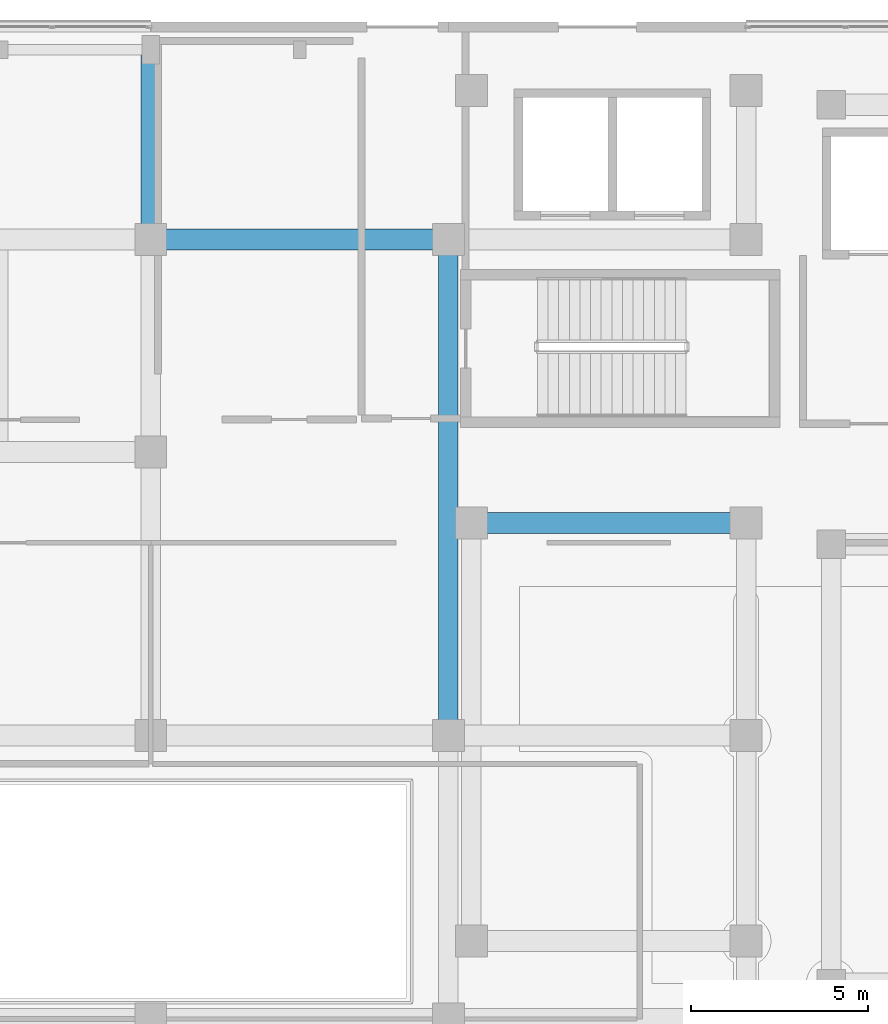
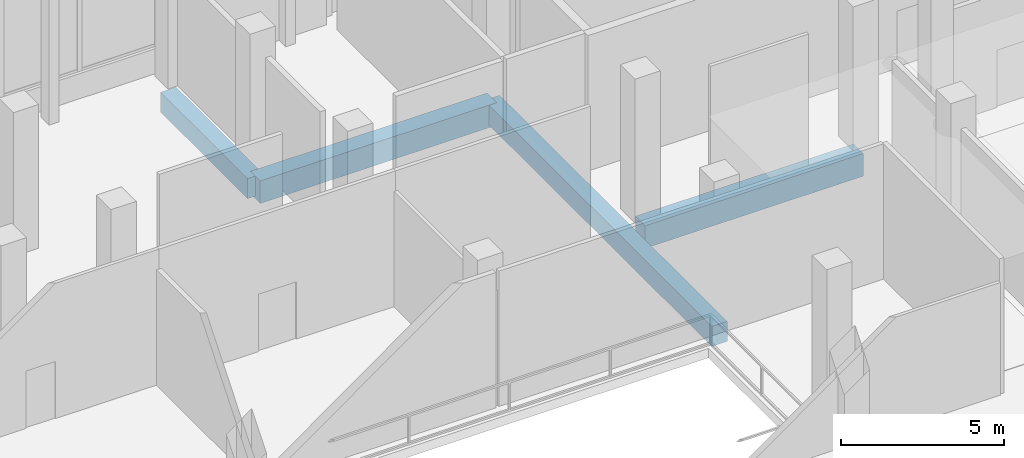
# One storey, part 76 of 158: 4 beams.
"""IFC4 building model written with IfcOpenShell, lengths in metres."""

from ifc_helpers import new_model, si_unit, direction, frame, origin, origin_2d, place, context, subcontext, project, spatial, rectangle, extrude, material, material_profile, profile_set, type_object, element, save


model = new_model("IFC4")

# Units and contexts
model_context = context("Model", 3, precision=1e-05, world=origin(), true_north=direction((0.0, 1.0)))
body_context = subcontext(model_context, "Body", "Model", "MODEL_VIEW")
ifc_project = project(units=[si_unit("LENGTHUNIT", "METRE"), si_unit("AREAUNIT", "SQUARE_METRE"), si_unit("VOLUMEUNIT", "CUBIC_METRE"), si_unit("PLANEANGLEUNIT", "RADIAN"), si_unit("MASSUNIT", "GRAM", prefix="KILO")], contexts=[model_context])

# Site, building, storey
site_placement = place(None, origin())
site = spatial("IfcSite", under=ifc_project, at=site_placement, CompositionType="ELEMENT")
building_placement = place(site_placement, origin())
building = spatial("IfcBuilding", under=site, at=building_placement, Name="Selatvlak General Hospital", CompositionType="ELEMENT")
storey_placement = place(building_placement, origin())
storey = spatial("IfcBuildingStorey", under=building, at=storey_placement, Name="L00", CompositionType="ELEMENT", Elevation=0.0)

# Beams
ifc_material = material(Name="Concrete C40/50", Category="concrete")
ifc_material_profile_1 = material_profile(ifc_material, rectangle(XDim=0.60009765625, YDim=0.85009765625, at=origin_2d()), Name="RC-BM 600x850")
ifc_profile_set_1 = profile_set([ifc_material_profile_1], Name="Concrete C40/50")
beam_type_1 = type_object("IfcBeamType", Name="BM-G01", PredefinedType="BEAM", material=ifc_profile_set_1)
beam_1_placement = place(storey_placement, frame((48.64990234375, 106.0, -0.77490234375), z_axis=(1.0, 0.0, 0.0), x_axis=(0.0, 1.0, 0.0)))
element("IfcBeam", 1, at=beam_1_placement, inside=storey, type_object=beam_type_1, Name="Beam BMR-L00-0115", PredefinedType="BEAM", context=body_context, shape_type="SweptSolid", body=[
    extrude(rectangle(XDim=0.60009765625, YDim=0.85009765625, at=origin_2d()), origin(), (0.0, 0.0, 1.0), 7.75),
])
beam_2_placement = place(storey_placement, frame((39.60009765625, 114.0, -0.77490234375), z_axis=(1.0, 0.0, 0.0), x_axis=(0.0, 1.0, 0.0)))
element("IfcBeam", 2, at=beam_2_placement, inside=storey, type_object=beam_type_1, Name="Beam BMR-L00-0135", PredefinedType="BEAM", context=body_context, shape_type="SweptSolid", body=[
    extrude(rectangle(XDim=0.60009765625, YDim=0.85009765625, at=origin_2d()), origin(), (0.0, 0.0, 1.0), 8.39990234375),
])
ifc_material_profile_2 = material_profile(ifc_material, rectangle(XDim=0.550048828125, YDim=0.75, at=origin_2d()), Name="RC-BM 550x750")
ifc_profile_set_2 = profile_set([ifc_material_profile_2], Name="Concrete C40/50")
beam_type_2 = type_object("IfcBeamType", Name="BM-G02", PredefinedType="BEAM", material=ifc_profile_set_2)
beam_3_placement = place(storey_placement, frame((39.60009765625, 114.0, -0.72509765625), z_axis=(0.0, 1.0, 0.0), x_axis=(-1.0, 0.0, 0.0)))
element("IfcBeam", 3, at=beam_3_placement, inside=storey, type_object=beam_type_2, Name="Beam BMR-L00-0180", PredefinedType="BEAM", context=body_context, shape_type="SweptSolid", body=[
    extrude(rectangle(XDim=0.550048828125, YDim=0.75, at=origin_2d()), origin(), (0.0, 0.0, 1.0), 5.35009765625),
])
beam_4_placement = place(storey_placement, frame((48.0, 100.0, -0.72509765625), z_axis=(0.0, 1.0, 0.0), x_axis=(-1.0, 0.0, 0.0)))
element("IfcBeam", 4, at=beam_4_placement, inside=storey, type_object=beam_type_2, Name="Beam BMR-L00-0186", PredefinedType="BEAM", context=body_context, shape_type="SweptSolid", body=[
    extrude(rectangle(XDim=0.550048828125, YDim=0.75, at=origin_2d()), origin(), (0.0, 0.0, 1.0), 14.0),
])

save(model, "model.ifc")
